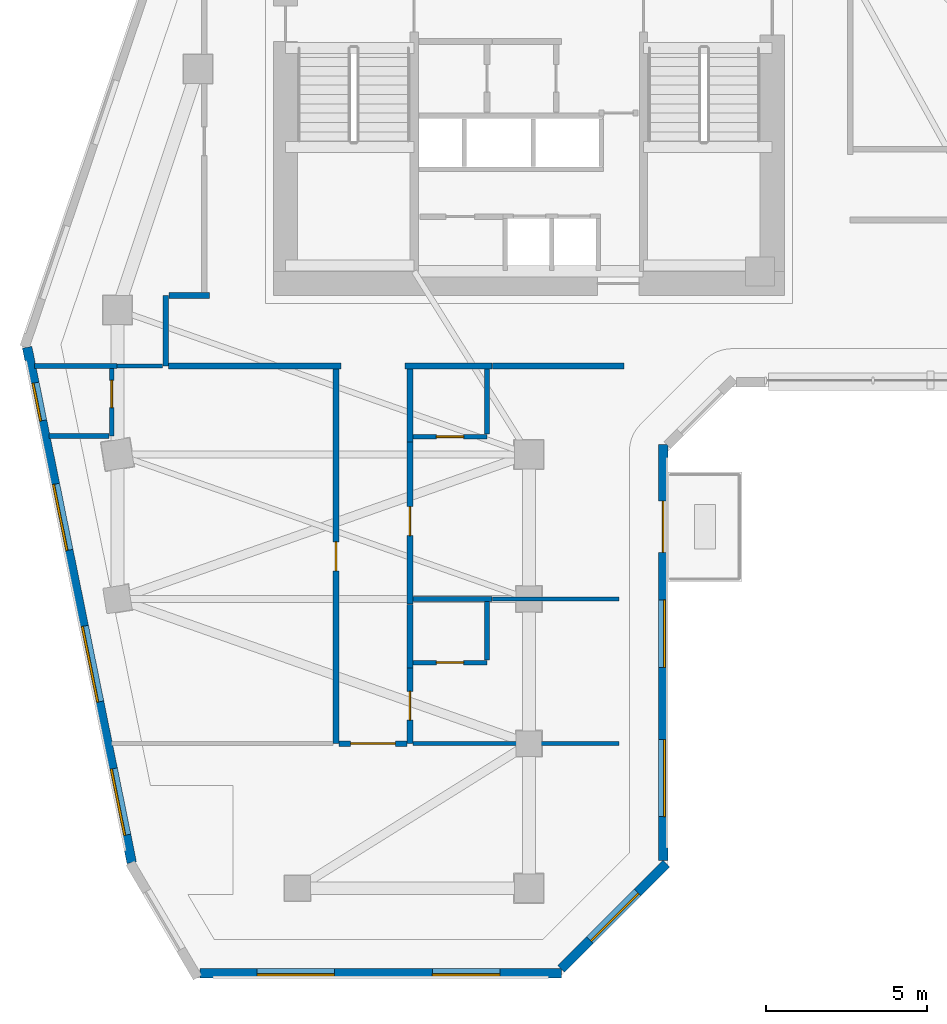
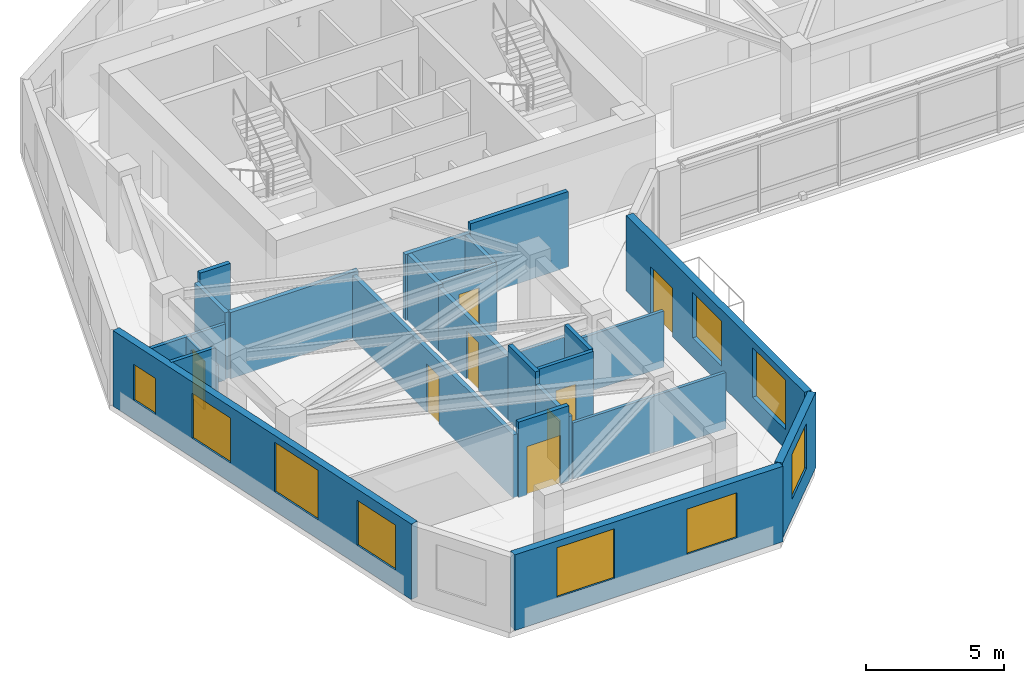
# One storey, part 4 of 10: 26 walls, 9 windows, 8 doors, 17 openings.
"""IFC4 building model written with IfcOpenShell, lengths in metres."""

from ifc_helpers import new_model, si_unit, direction, frame, frame_2d, origin, place, context, subcontext, project, spatial, rectangle, extrude, source, transform, mapped, material, layer, layer_set, type_object, element, fill, save


model = new_model("IFC4")

# Units and contexts
model_context = context("Model", 3, precision=1e-05, world=origin(), true_north=direction((0.0, 1.0)))
body_context = subcontext(model_context, "Body", "Model", "MODEL_VIEW")
ifc_project = project(units=[si_unit("LENGTHUNIT", "METRE"), si_unit("AREAUNIT", "SQUARE_METRE"), si_unit("VOLUMEUNIT", "CUBIC_METRE"), si_unit("PLANEANGLEUNIT", "RADIAN"), si_unit("MASSUNIT", "GRAM", prefix="KILO")], contexts=[model_context])

# Site, building, storey
site_placement = place(None, origin())
site = spatial("IfcSite", under=ifc_project, at=site_placement, CompositionType="ELEMENT")
building_placement = place(site_placement, origin())
building = spatial("IfcBuilding", under=site, at=building_placement, Name="Calvemar Wedge Station Tower", CompositionType="ELEMENT")
storey_placement = place(building_placement, frame((0.0, 0.0, 146.60009765625)))
storey = spatial("IfcBuildingStorey", under=building, at=storey_placement, Name="L36", CompositionType="ELEMENT", Elevation=146.60009765625)

# Walls
ifc_material_1 = material(Name="Double-stud fire-rated corridor partition")
ifc_layer_1 = layer(ifc_material_1, 0.179931640625)
ifc_layer_set_1 = layer_set([ifc_layer_1], Name="Double-stud fire-rated corridor partition")
wall_type_1 = type_object("IfcWallType", Name="W-CORR-180", PredefinedType="PARTITIONING", material=ifc_layer_set_1)
wall_1_placement = place(storey_placement, frame((12.5, 31.25, 0.0), z_axis=(0.0, 0.0, 1.0), x_axis=(0.0, 1.0, 0.0)))
element("IfcWall", 1, at=wall_1_placement, inside=storey, type_object=wall_type_1, Name="Storey L36 Interior Partition WL-L36-007", PredefinedType="PARTITIONING", context=body_context, shape_type="SweptSolid", body=[
    extrude(rectangle(XDim=2.199951171875, YDim=0.179931640625, at=frame_2d((1.10009765625, 0.0))), origin(), (0.0, 0.0, 1.0), 2.934814453125),
])
wall_2_placement = place(storey_placement, frame((12.593994140625, 33.449951171875, 0.0), z_axis=(0.0, 0.0, 1.0), x_axis=(1.0, 0.0, 0.0)))
element("IfcWall", 2, at=wall_2_placement, inside=storey, type_object=wall_type_1, Name="Storey L36 Interior Partition WL-L36-008", PredefinedType="PARTITIONING", context=body_context, shape_type="SweptSolid", body=[
    extrude(rectangle(XDim=1.26611328125, YDim=0.179931640625, at=frame_2d((0.633056640625, 0.0))), origin(), (0.0, 0.0, 1.0), 3.349853515625),
])
wall_3_placement = place(storey_placement, frame((17.9599609375, 31.25, 0.0), z_axis=(0.0, 0.0, 1.0), x_axis=(-1.0, 0.0, 0.0)))
element("IfcWall", 3, at=wall_3_placement, inside=storey, type_object=wall_type_1, Name="Storey L36 Interior Partition WL-L36-009", PredefinedType="PARTITIONING", context=body_context, shape_type="SweptSolid", body=[
    extrude(rectangle(XDim=5.365966796875, YDim=0.179931640625, at=frame_2d((2.68310546875, 0.0))), origin(), (0.0, 0.0, 1.0), 2.934814453125),
])
wall_4_placement = place(storey_placement, frame((22.659912109375, 31.25, 0.0), z_axis=(0.0, 0.0, 1.0), x_axis=(-1.0, 0.0, 0.0)))
element("IfcWall", 4, at=wall_4_placement, inside=storey, type_object=wall_type_1, Name="Storey L36 Interior Partition WL-L36-010", PredefinedType="PARTITIONING", context=body_context, shape_type="SweptSolid", body=[
    extrude(rectangle(XDim=2.719970703125, YDim=0.179931640625, at=frame_2d((1.35986328125, 0.0))), origin(), (0.0, 0.0, 1.0), 2.934814453125),
])
wall_5_placement = place(storey_placement, frame((26.760009765625, 31.25, 0.0), z_axis=(0.0, 0.0, 1.0), x_axis=(-1.0, 0.0, 0.0)))
element("IfcWall", 5, at=wall_5_placement, inside=storey, type_object=wall_type_1, Name="Storey L36 Interior Partition WL-L36-011", PredefinedType="PARTITIONING", context=body_context, shape_type="SweptSolid", body=[
    extrude(rectangle(XDim=4.097900390625, YDim=0.179931640625, at=frame_2d((2.048828125, 0.0))), origin(), (0.0, 0.0, 1.0), 3.349853515625),
])

# Wall, opening, door
wall_6_placement = place(storey_placement, frame((17.800048828125, 19.5, 0.0), z_axis=(0.0, 0.0, 1.0), x_axis=(0.0, 1.0, 0.0)))
wall_6 = element("IfcWall", 6, at=wall_6_placement, inside=storey, type_object=wall_type_1, Name="Storey L36 Interior Partition WL-L36-035", PredefinedType="PARTITIONING", context=body_context, shape_type="SweptSolid", body=[
    extrude(rectangle(XDim=11.656005859375, YDim=0.179931640625, at=frame_2d((5.828125, 0.0))), origin(), (0.0, 0.0, 1.0), 2.787841796875),
])
shared_shape_1 = source(origin(), body_context, "Body", "SweptSolid", [
    extrude(rectangle(XDim=0.89990234375, YDim=2.14990234375, at=frame_2d((0.449951171875, 1.074951171875))), frame((0.0, 0.10009765625, 0.0), z_axis=(0.0, -1.0, 0.0), x_axis=(1.0, 0.0, 0.0)), (0.0, 0.0, 1.0), 0.199951171875),
])
opening_1_placement = place(wall_6_placement, frame((5.3779296875, 0.0, 0.0)))
opening_1 = element("IfcOpeningElement", 7, at=opening_1_placement, cuts=wall_6, Name="Opening FD-60", PredefinedType="OPENING", context=body_context, shape_type="MappedRepresentation", body=[
    mapped(shared_shape_1, transform((0.0, 0.0, 0.0), scale=1.0)),
])
ifc_material_2 = material(Name="Fire-rated acoustic timber-core entrance door EI 60", Category="wood")
door_type_1 = type_object("IfcDoorType", Name="DR-FD60-900", OperationType="NOTDEFINED", PredefinedType="DOOR", material=ifc_material_2)
shared_shape_2 = source(origin(), body_context, "Body", "SweptSolid", [
    extrude(rectangle(XDim=0.89990234375, YDim=2.14990234375, at=frame_2d((0.449951171875, 1.074951171875))), frame((0.0, 0.02490234375, 0.0), z_axis=(0.0, -1.0, 0.0), x_axis=(1.0, 0.0, 0.0)), (0.0, 0.0, 1.0), 0.050048828125),
])
door_1_placement = place(opening_1_placement, origin())
door_1 = element("IfcDoor", 8, at=door_1_placement, inside=storey, type_object=door_type_1, Name="L36 Hotel Suite Door", OperationType="SINGLE_SWING_LEFT", OverallHeight=2.14990234375, OverallWidth=0.89990234375, PredefinedType="DOOR", context=body_context, shape_type="MappedRepresentation", body=[
    mapped(shared_shape_2, transform((0.0, 0.0, 0.0), scale=1.0)),
])
fill(opening_1, door_1)

# Wall
wall_7_placement = place(storey_placement, frame((20.10009765625, 31.156005859375, 0.0), z_axis=(0.0, 0.0, 1.0), x_axis=(0.0, -1.0, 0.0)))
element("IfcWall", 9, at=wall_7_placement, inside=storey, type_object=wall_type_1, Name="Storey L36 Interior Partition WL-L36-036", PredefinedType="PARTITIONING", context=body_context, shape_type="SweptSolid", body=[
    extrude(rectangle(XDim=2.26611328125, YDim=0.179931640625, at=frame_2d((1.133056640625, 0.0))), origin(), (0.0, 0.0, 1.0), 2.934814453125),
])

# Wall, opening, door
wall_8_placement = place(storey_placement, frame((20.10009765625, 28.887939453125, 0.0), z_axis=(0.0, 0.0, 1.0), x_axis=(0.0, -1.0, 0.0)))
wall_8 = element("IfcWall", 10, at=wall_8_placement, inside=storey, type_object=wall_type_1, Name="Storey L36 Interior Partition WL-L36-037", PredefinedType="PARTITIONING", context=body_context, shape_type="SweptSolid", body=[
    extrude(rectangle(XDim=5.0478515625, YDim=0.179931640625, at=frame_2d((2.52392578125, 0.0))), origin(), (0.0, 0.0, 1.0), 2.787841796875),
])
opening_2_placement = place(wall_8_placement, frame((2.01220703125, 0.0, 0.0)))
opening_2 = element("IfcOpeningElement", 11, at=opening_2_placement, cuts=wall_8, Name="Opening FD-60", PredefinedType="OPENING", context=body_context, shape_type="MappedRepresentation", body=[
    mapped(shared_shape_1, transform((0.0, 0.0, 0.0), scale=1.0)),
])
door_2_placement = place(opening_2_placement, origin())
door_2 = element("IfcDoor", 12, at=door_2_placement, inside=storey, type_object=door_type_1, Name="L36 Hotel Guest Room Door", OperationType="SINGLE_SWING_LEFT", OverallHeight=2.14990234375, OverallWidth=0.89990234375, PredefinedType="DOOR", context=body_context, shape_type="MappedRepresentation", body=[
    mapped(shared_shape_2, transform((0.0, 0.0, 0.0), scale=1.0)),
])
fill(opening_2, door_2)

# Wall
wall_9_placement = place(storey_placement, frame((20.10009765625, 23.837890625, 0.0), z_axis=(0.0, 0.0, 1.0), x_axis=(0.0, -1.0, 0.0)))
element("IfcWall", 13, at=wall_9_placement, inside=storey, type_object=wall_type_1, Name="Storey L36 Interior Partition WL-L36-038", PredefinedType="PARTITIONING", context=body_context, shape_type="SweptSolid", body=[
    extrude(rectangle(XDim=1.977783203125, YDim=0.179931640625, at=frame_2d((0.98876953125, 0.0))), origin(), (0.0, 0.0, 1.0), 3.349853515625),
])

# Wall, opening, door
wall_10_placement = place(storey_placement, frame((20.10009765625, 21.85791015625, 0.0), z_axis=(0.0, 0.0, 1.0), x_axis=(0.0, -1.0, 0.0)))
wall_10 = element("IfcWall", 14, at=wall_10_placement, inside=storey, type_object=wall_type_1, Name="Storey L36 Interior Partition WL-L36-039", PredefinedType="PARTITIONING", context=body_context, shape_type="SweptSolid", body=[
    extrude(rectangle(XDim=2.35791015625, YDim=0.179931640625, at=frame_2d((1.178955078125, 0.0))), origin(), (0.0, 0.0, 1.0), 2.787841796875),
])
opening_3_placement = place(wall_10_placement, frame((0.72900390625, 0.0, 0.0)))
opening_3 = element("IfcOpeningElement", 15, at=opening_3_placement, cuts=wall_10, Name="Opening FD-60", PredefinedType="OPENING", context=body_context, shape_type="MappedRepresentation", body=[
    mapped(shared_shape_1, transform((0.0, 0.0, 0.0), scale=1.0)),
])
door_3_placement = place(opening_3_placement, origin())
door_3 = element("IfcDoor", 16, at=door_3_placement, inside=storey, type_object=door_type_1, Name="L36 Hotel Guest Room Door", OperationType="SINGLE_SWING_LEFT", OverallHeight=2.14990234375, OverallWidth=0.89990234375, PredefinedType="DOOR", context=body_context, shape_type="MappedRepresentation", body=[
    mapped(shared_shape_2, transform((0.0, 0.0, 0.0), scale=1.0)),
])
fill(opening_3, door_3)

wall_11_placement = place(storey_placement, frame((20.006103515625, 19.5, 0.0), z_axis=(0.0, 0.0, 1.0), x_axis=(-1.0, 0.0, 0.0)))
wall_11 = element("IfcWall", 17, at=wall_11_placement, inside=storey, type_object=wall_type_1, Name="Storey L36 Interior Partition WL-L36-040", PredefinedType="PARTITIONING", context=body_context, shape_type="SweptSolid", body=[
    extrude(rectangle(XDim=2.112060546875, YDim=0.179931640625, at=frame_2d((1.05615234375, 0.0))), origin(), (0.0, 0.0, 1.0), 3.349853515625),
])
shared_shape_3 = source(origin(), body_context, "Body", "SweptSolid", [
    extrude(rectangle(XDim=1.39990234375, YDim=2.14990234375, at=frame_2d((0.699951171875, 1.074951171875))), frame((0.0, 0.10009765625, 0.0), z_axis=(0.0, -1.0, 0.0), x_axis=(1.0, 0.0, 0.0)), (0.0, 0.0, 1.0), 0.199951171875),
])
opening_4_placement = place(wall_11_placement, frame((0.35595703125, 0.0, 0.0)))
opening_4 = element("IfcOpeningElement", 18, at=opening_4_placement, cuts=wall_11, Name="Opening DD-140", PredefinedType="OPENING", context=body_context, shape_type="MappedRepresentation", body=[
    mapped(shared_shape_3, transform((0.0, 0.0, 0.0), scale=1.0)),
])
ifc_material_3 = material(Name="Double-leaf corridor acoustic fire door EI 60")
door_type_2 = type_object("IfcDoorType", Name="DR-DBL-1400", OperationType="DOUBLE_DOOR_SINGLE_SWING", PredefinedType="DOOR", material=ifc_material_3)
shared_shape_4 = source(origin(), body_context, "Body", "SweptSolid", [
    extrude(rectangle(XDim=1.39990234375, YDim=2.14990234375, at=frame_2d((0.699951171875, 1.074951171875))), frame((0.0, 0.02490234375, 0.0), z_axis=(0.0, -1.0, 0.0), x_axis=(1.0, 0.0, 0.0)), (0.0, 0.0, 1.0), 0.050048828125),
])
door_4_placement = place(opening_4_placement, origin())
door_4 = element("IfcDoor", 19, at=door_4_placement, inside=storey, type_object=door_type_2, Name="L36 Hotel Terrace Dining Room Door", OperationType="SINGLE_SWING_RIGHT", OverallHeight=2.14990234375, OverallWidth=1.39990234375, PredefinedType="DOOR", context=body_context, shape_type="MappedRepresentation", body=[
    mapped(shared_shape_4, transform((0.0, 0.0, 0.0), scale=1.0)),
])
fill(opening_4, door_4)

# Wall, openings, windows
ifc_material_4 = material(Name="Precast concrete C45", Category="concrete")
ifc_layer_2 = layer(ifc_material_4, 0.300048828125)
ifc_layer_set_2 = layer_set([ifc_layer_2], Name="Precast concrete C45")
wall_type_2 = type_object("IfcWallType", Name="W-EXT-GFRC-300", PredefinedType="SOLIDWALL", material=ifc_layer_set_2)
wall_12_placement = place(storey_placement, frame((13.57373046875, 12.35009765625, 0.0), z_axis=(0.0, 0.0, 1.0), x_axis=(1.0, 0.0, 0.0)))
wall_12 = element("IfcWall", 20, at=wall_12_placement, inside=storey, type_object=wall_type_2, Name="Storey L36 Bronze GFRC Exterior Wall 2", PredefinedType="SOLIDWALL", context=body_context, shape_type="SweptSolid", body=[
    extrude(rectangle(XDim=11.2421875, YDim=0.300048828125, at=frame_2d((5.62109375, 0.0))), origin(), (0.0, 0.0, 1.0), 3.349853515625),
])
shared_shape_5 = source(origin(), body_context, "Body", "SweptSolid", [
    extrude(rectangle(XDim=2.39990234375, YDim=2.199951171875, at=frame_2d((1.199951171875, 1.10009765625))), frame((0.0, 0.16015625, 0.0), z_axis=(0.0, -1.0, 0.0), x_axis=(1.0, 0.0, 0.0)), (0.0, 0.0, 1.0), 0.320068359375),
])
opening_5_placement = place(wall_12_placement, frame((1.77099609375, 0.0, 0.85009765625)))
opening_5 = element("IfcOpeningElement", 21, at=opening_5_placement, cuts=wall_12, Name="Opening W1", PredefinedType="OPENING", context=body_context, shape_type="MappedRepresentation", body=[
    mapped(shared_shape_5, transform((0.0, 0.0, 0.0), scale=1.0)),
])
shared_shape_6 = source(origin(), body_context, "Body", "SweptSolid", [
    extrude(rectangle(XDim=2.10009765625, YDim=2.0, at=frame_2d((1.050048828125, 1.0))), frame((0.0, 0.16015625, 0.0), z_axis=(0.0, -1.0, 0.0), x_axis=(1.0, 0.0, 0.0)), (0.0, 0.0, 1.0), 0.320068359375),
])
opening_6_placement = place(wall_12_placement, frame((7.221923828125, 0.0, 0.85009765625)))
opening_6 = element("IfcOpeningElement", 22, at=opening_6_placement, cuts=wall_12, Name="Opening W4", PredefinedType="OPENING", context=body_context, shape_type="MappedRepresentation", body=[
    mapped(shared_shape_6, transform((0.0, 0.0, 0.0), scale=1.0)),
])
ifc_material_5 = material(Name="Low-E laminated insulated glass", Category="glass")
window_type_1 = type_object("IfcWindowType", Name="WIN-EXT-4", PartitioningType="SINGLE_PANEL", PredefinedType="WINDOW", material=ifc_material_5)
shared_shape_7 = source(origin(), body_context, "Body", "SweptSolid", [
    extrude(rectangle(XDim=2.10009765625, YDim=2.0, at=frame_2d((1.050048828125, 1.0))), frame((0.0, -0.014892578125, 0.0), z_axis=(0.0, -1.0, 0.0), x_axis=(1.0, 0.0, 0.0)), (0.0, 0.0, 1.0), 0.06005859375),
])
window_1_placement = place(opening_6_placement, origin())
window_1 = element("IfcWindow", 23, at=window_1_placement, inside=storey, type_object=window_type_1, Name="Storey L36 Recessed Window 2.2", OverallHeight=2.0, OverallWidth=2.10009765625, PartitioningType="SINGLE_PANEL", PredefinedType="WINDOW", context=body_context, shape_type="MappedRepresentation", body=[
    mapped(shared_shape_7, transform((0.0, 0.0, 0.0), scale=1.0)),
])
fill(opening_6, window_1)
window_type_2 = type_object("IfcWindowType", Name="WIN-EXT-1", PartitioningType="SINGLE_PANEL", PredefinedType="WINDOW", material=ifc_material_5)
shared_shape_8 = source(origin(), body_context, "Body", "SweptSolid", [
    extrude(rectangle(XDim=2.39990234375, YDim=2.199951171875, at=frame_2d((1.199951171875, 1.10009765625))), frame((0.0, -0.014892578125, 0.0), z_axis=(0.0, -1.0, 0.0), x_axis=(1.0, 0.0, 0.0)), (0.0, 0.0, 1.0), 0.06005859375),
])
window_2_placement = place(opening_5_placement, origin())
window_2 = element("IfcWindow", 24, at=window_2_placement, inside=storey, type_object=window_type_2, Name="Storey L36 Recessed Window 2.1", OverallHeight=2.199951171875, OverallWidth=2.39990234375, PartitioningType="SINGLE_PANEL", PredefinedType="WINDOW", context=body_context, shape_type="MappedRepresentation", body=[
    mapped(shared_shape_8, transform((0.0, 0.0, 0.0), scale=1.0)),
])
fill(opening_5, window_2)

# Wall, opening, window
wall_13_placement = place(storey_placement, frame((24.803955078125, 12.488037109375, 0.0), z_axis=(0.0, 0.0, 1.0), x_axis=(0.70708046583, 0.707133095564, 0.0)))
wall_13 = element("IfcWall", 25, at=wall_13_placement, inside=storey, type_object=wall_type_2, Name="Storey L36 Bronze GFRC Exterior Wall 3", PredefinedType="SOLIDWALL", context=body_context, shape_type="SweptSolid", body=[
    extrude(rectangle(XDim=4.638916015625, YDim=0.300048828125, at=frame_2d((2.3193359375, 0.0))), origin(), (0.0, 0.0, 1.0), 3.349853515625),
])
opening_7_placement = place(wall_13_placement, frame((1.26904296875, 0.0, 0.85009765625)))
opening_7 = element("IfcOpeningElement", 26, at=opening_7_placement, cuts=wall_13, Name="Opening W4", PredefinedType="OPENING", context=body_context, shape_type="MappedRepresentation", body=[
    mapped(shared_shape_6, transform((0.0, 0.0, 0.0), scale=1.0)),
])
window_3_placement = place(opening_7_placement, origin())
window_3 = element("IfcWindow", 27, at=window_3_placement, inside=storey, type_object=window_type_1, Name="Storey L36 Recessed Window 3.1", OverallHeight=2.0, OverallWidth=2.10009765625, PartitioningType="SINGLE_PANEL", PredefinedType="WINDOW", context=body_context, shape_type="MappedRepresentation", body=[
    mapped(shared_shape_7, transform((0.0, 0.0, 0.0), scale=1.0)),
])
fill(opening_7, window_3)

# Wall, openings, windows, door
wall_14_placement = place(storey_placement, frame((27.97802734375, 15.857421875, 0.0), z_axis=(0.0, 0.0, 1.0), x_axis=(0.0, 1.0, 0.0)))
wall_14 = element("IfcWall", 28, at=wall_14_placement, inside=storey, type_object=wall_type_2, Name="Storey L36 Bronze GFRC Exterior Wall 4", PredefinedType="SOLIDWALL", context=body_context, shape_type="SweptSolid", body=[
    extrude(rectangle(XDim=12.94677734375, YDim=0.300048828125, at=frame_2d((6.473388671875, 0.0))), origin(), (0.0, 0.0, 1.0), 3.349853515625),
])
shared_shape_9 = source(origin(), body_context, "Body", "SweptSolid", [
    extrude(rectangle(XDim=1.60009765625, YDim=2.14990234375, at=frame_2d((0.800048828125, 1.074951171875))), frame((0.0, 0.16015625, 0.0), z_axis=(0.0, -1.0, 0.0), x_axis=(1.0, 0.0, 0.0)), (0.0, 0.0, 1.0), 0.320068359375),
])
opening_8_placement = place(wall_14_placement, frame((9.593017578125, 0.0, 0.0)))
opening_8 = element("IfcOpeningElement", 29, at=opening_8_placement, cuts=wall_14, Name="Opening DT1", PredefinedType="OPENING", context=body_context, shape_type="MappedRepresentation", body=[
    mapped(shared_shape_9, transform((0.0, 0.0, 0.0), scale=1.0)),
])
opening_9_placement = place(wall_14_placement, frame((1.367919921875, 0.0, 0.85009765625)))
opening_9 = element("IfcOpeningElement", 30, at=opening_9_placement, cuts=wall_14, Name="Opening W1", PredefinedType="OPENING", context=body_context, shape_type="MappedRepresentation", body=[
    mapped(shared_shape_5, transform((0.0, 0.0, 0.0), scale=1.0)),
])
opening_10_placement = place(wall_14_placement, frame((6.014892578125, 0.0, 0.85009765625)))
opening_10 = element("IfcOpeningElement", 31, at=opening_10_placement, cuts=wall_14, Name="Opening W4", PredefinedType="OPENING", context=body_context, shape_type="MappedRepresentation", body=[
    mapped(shared_shape_6, transform((0.0, 0.0, 0.0), scale=1.0)),
])
window_4_placement = place(opening_10_placement, origin())
window_4 = element("IfcWindow", 32, at=window_4_placement, inside=storey, type_object=window_type_1, Name="Storey L36 Recessed Window 4.2", OverallHeight=2.0, OverallWidth=2.10009765625, PartitioningType="SINGLE_PANEL", PredefinedType="WINDOW", context=body_context, shape_type="MappedRepresentation", body=[
    mapped(shared_shape_7, transform((0.0, 0.0, 0.0), scale=1.0)),
])
fill(opening_10, window_4)
window_5_placement = place(opening_9_placement, origin())
window_5 = element("IfcWindow", 33, at=window_5_placement, inside=storey, type_object=window_type_2, Name="Storey L36 Recessed Window 4.1", OverallHeight=2.199951171875, OverallWidth=2.39990234375, PartitioningType="SINGLE_PANEL", PredefinedType="WINDOW", context=body_context, shape_type="MappedRepresentation", body=[
    mapped(shared_shape_8, transform((0.0, 0.0, 0.0), scale=1.0)),
])
fill(opening_9, window_5)
ifc_material_6 = material(Name="Anodised aluminium 6063-T6", Category="aluminium")
door_type_3 = type_object("IfcDoorType", Name="DR-TERR-1600", OperationType="DOUBLE_DOOR_SLIDING", PredefinedType="DOOR", material=ifc_material_6)
shared_shape_10 = source(origin(), body_context, "Body", "SweptSolid", [
    extrude(rectangle(XDim=1.60009765625, YDim=2.14990234375, at=frame_2d((0.800048828125, 1.074951171875))), frame((0.0, 0.02490234375, 0.0), z_axis=(0.0, -1.0, 0.0), x_axis=(1.0, 0.0, 0.0)), (0.0, 0.0, 1.0), 0.050048828125),
])
door_5_placement = place(opening_8_placement, origin())
door_5 = element("IfcDoor", 34, at=door_5_placement, inside=storey, type_object=door_type_3, Name="Storey L36 Spiral Terrace Door", OperationType="DOUBLE_DOOR_SLIDING", OverallHeight=2.14990234375, OverallWidth=1.60009765625, PredefinedType="DOOR", context=body_context, shape_type="MappedRepresentation", body=[
    mapped(shared_shape_10, transform((0.0, 0.0, 0.0), scale=1.0)),
])
fill(opening_8, door_5)

# Wall, openings, windows
wall_15_placement = place(storey_placement, frame((8.186767578125, 31.833740234375, 0.0), z_axis=(0.0, 0.0, 1.0), x_axis=(0.198869838988, -0.980025911464, 0.0)))
wall_15 = element("IfcWall", 35, at=wall_15_placement, inside=storey, type_object=wall_type_2, Name="Storey L36 Bronze GFRC Exterior Wall 13", PredefinedType="SOLIDWALL", context=body_context, shape_type="SweptSolid", body=[
    extrude(rectangle(XDim=16.36328125, YDim=0.300048828125, at=frame_2d((8.181640625, 0.0))), origin(), (0.0, 0.0, 1.0), 3.349853515625),
])
shared_shape_11 = source(origin(), body_context, "Body", "SweptSolid", [
    extrude(rectangle(XDim=1.199951171875, YDim=1.60009765625, at=frame_2d((0.60009765625, 0.800048828125))), frame((0.0, 0.16015625, 0.0), z_axis=(0.0, -1.0, 0.0), x_axis=(1.0, 0.0, 0.0)), (0.0, 0.0, 1.0), 0.320068359375),
])
opening_11_placement = place(wall_15_placement, frame((1.131103515625, 0.0, 0.85009765625)))
opening_11 = element("IfcOpeningElement", 36, at=opening_11_placement, cuts=wall_15, Name="Opening W5", PredefinedType="OPENING", context=body_context, shape_type="MappedRepresentation", body=[
    mapped(shared_shape_11, transform((0.0, 0.0, 0.0), scale=1.0)),
])
opening_12_placement = place(wall_15_placement, frame((4.344970703125, 0.0, 0.85009765625)))
opening_12 = element("IfcOpeningElement", 37, at=opening_12_placement, cuts=wall_15, Name="Opening W4", PredefinedType="OPENING", context=body_context, shape_type="MappedRepresentation", body=[
    mapped(shared_shape_6, transform((0.0, 0.0, 0.0), scale=1.0)),
])
opening_13_placement = place(wall_15_placement, frame((8.85693359375, 0.0, 0.85009765625)))
opening_13 = element("IfcOpeningElement", 38, at=opening_13_placement, cuts=wall_15, Name="Opening W1", PredefinedType="OPENING", context=body_context, shape_type="MappedRepresentation", body=[
    mapped(shared_shape_5, transform((0.0, 0.0, 0.0), scale=1.0)),
])
opening_14_placement = place(wall_15_placement, frame((13.385986328125, 0.0, 0.85009765625)))
opening_14 = element("IfcOpeningElement", 39, at=opening_14_placement, cuts=wall_15, Name="Opening W4", PredefinedType="OPENING", context=body_context, shape_type="MappedRepresentation", body=[
    mapped(shared_shape_6, transform((0.0, 0.0, 0.0), scale=1.0)),
])
window_6_placement = place(opening_12_placement, origin())
window_6 = element("IfcWindow", 40, at=window_6_placement, inside=storey, type_object=window_type_1, Name="Storey L36 Recessed Window 13.2", OverallHeight=2.0, OverallWidth=2.10009765625, PartitioningType="SINGLE_PANEL", PredefinedType="WINDOW", context=body_context, shape_type="MappedRepresentation", body=[
    mapped(shared_shape_7, transform((0.0, 0.0, 0.0), scale=1.0)),
])
fill(opening_12, window_6)
window_7_placement = place(opening_14_placement, origin())
window_7 = element("IfcWindow", 41, at=window_7_placement, inside=storey, type_object=window_type_1, Name="Storey L36 Recessed Window 13.4", OverallHeight=2.0, OverallWidth=2.10009765625, PartitioningType="SINGLE_PANEL", PredefinedType="WINDOW", context=body_context, shape_type="MappedRepresentation", body=[
    mapped(shared_shape_7, transform((0.0, 0.0, 0.0), scale=1.0)),
])
fill(opening_14, window_7)
window_8_placement = place(opening_13_placement, origin())
window_8 = element("IfcWindow", 42, at=window_8_placement, inside=storey, type_object=window_type_2, Name="Storey L36 Recessed Window 13.3", OverallHeight=2.199951171875, OverallWidth=2.39990234375, PartitioningType="SINGLE_PANEL", PredefinedType="WINDOW", context=body_context, shape_type="MappedRepresentation", body=[
    mapped(shared_shape_8, transform((0.0, 0.0, 0.0), scale=1.0)),
])
fill(opening_13, window_8)
window_type_3 = type_object("IfcWindowType", Name="WIN-EXT-5", PartitioningType="SINGLE_PANEL", PredefinedType="WINDOW", material=ifc_material_5)
shared_shape_12 = source(origin(), body_context, "Body", "SweptSolid", [
    extrude(rectangle(XDim=1.199951171875, YDim=1.60009765625, at=frame_2d((0.60009765625, 0.800048828125))), frame((0.0, -0.014892578125, 0.0), z_axis=(0.0, -1.0, 0.0), x_axis=(1.0, 0.0, 0.0)), (0.0, 0.0, 1.0), 0.06005859375),
])
window_9_placement = place(opening_11_placement, origin())
window_9 = element("IfcWindow", 43, at=window_9_placement, inside=storey, type_object=window_type_3, Name="Storey L36 Recessed Window 13.1", OverallHeight=1.60009765625, OverallWidth=1.199951171875, PartitioningType="SINGLE_PANEL", PredefinedType="WINDOW", context=body_context, shape_type="MappedRepresentation", body=[
    mapped(shared_shape_12, transform((0.0, 0.0, 0.0), scale=1.0)),
])
fill(opening_11, window_9)

# Walls
ifc_material_7 = material(Name="Insulated acoustic gypsum stud partition")
ifc_layer_3 = layer(ifc_material_7, 0.125)
ifc_layer_set_3 = layer_set([ifc_layer_3], Name="Insulated acoustic gypsum stud partition")
wall_type_3 = type_object("IfcWallType", Name="W-PART-125", PredefinedType="PARTITIONING", material=ifc_layer_set_3)
wall_16_placement = place(storey_placement, frame((12.406005859375, 31.25, 0.0), z_axis=(0.0, 0.0, 1.0), x_axis=(-1.0, 0.0, 0.0)))
element("IfcWall", 44, at=wall_16_placement, inside=storey, type_object=wall_type_3, Name="Storey L36 Interior Partition WL-L36-019", PredefinedType="PARTITIONING", context=body_context, shape_type="SweptSolid", body=[
    extrude(rectangle(XDim=1.425537109375, YDim=0.125, at=frame_2d((0.712890625, 0.0))), origin(), (0.0, 0.0, 1.0), 2.491943359375),
])
wall_17_placement = place(storey_placement, frame((26.60009765625, 24.0, 0.0), z_axis=(0.0, 0.0, 1.0), x_axis=(-1.0, 0.0, 0.0)))
element("IfcWall", 45, at=wall_17_placement, inside=storey, type_object=wall_type_3, Name="Storey L36 Interior Partition WL-L36-047", PredefinedType="PARTITIONING", context=body_context, shape_type="SweptSolid", body=[
    extrude(rectangle(XDim=3.93798828125, YDim=0.125, at=frame_2d((1.968994140625, 0.0))), origin(), (0.0, 0.0, 1.0), 2.491943359375),
])
wall_18_placement = place(storey_placement, frame((26.60009765625, 19.5, 0.0), z_axis=(0.0, 0.0, 1.0), x_axis=(-1.0, 0.0, 0.0)))
element("IfcWall", 46, at=wall_18_placement, inside=storey, type_object=wall_type_3, Name="Storey L36 Interior Partition WL-L36-050", PredefinedType="PARTITIONING", context=body_context, shape_type="SweptSolid", body=[
    extrude(rectangle(XDim=6.406005859375, YDim=0.125, at=frame_2d((3.203125, 0.0))), origin(), (0.0, 0.0, 1.0), 2.491943359375),
])
ifc_material_8 = material(Name="Moisture-resistant acoustic bathroom partition")
ifc_layer_4 = layer(ifc_material_8, 0.14990234375)
ifc_layer_set_4 = layer_set([ifc_layer_4], Name="Moisture-resistant acoustic bathroom partition")
wall_type_4 = type_object("IfcWallType", Name="W-WET-150", PredefinedType="PARTITIONING", material=ifc_layer_set_4)
wall_19_placement = place(storey_placement, frame((10.978515625, 31.25, 0.0), z_axis=(0.0, 0.0, 1.0), x_axis=(-1.0, 0.0, 0.0)))
element("IfcWall", 47, at=wall_19_placement, inside=storey, type_object=wall_type_4, Name="Storey L36 Interior Partition WL-L36-018", PredefinedType="PARTITIONING", context=body_context, shape_type="SweptSolid", body=[
    extrude(rectangle(XDim=2.555908203125, YDim=0.14990234375, at=frame_2d((1.27783203125, 0.0))), origin(), (0.0, 0.0, 1.0), 2.491943359375),
])

# Wall, opening, door
wall_20_placement = place(storey_placement, frame((10.818603515625, 31.1708984375, 0.0), z_axis=(0.0, 0.0, 1.0), x_axis=(0.0, -1.0, 0.0)))
wall_20 = element("IfcWall", 48, at=wall_20_placement, inside=storey, type_object=wall_type_4, Name="Storey L36 Interior Partition WL-L36-041", PredefinedType="PARTITIONING", context=body_context, shape_type="SweptSolid", body=[
    extrude(rectangle(XDim=2.100830078125, YDim=0.14990234375, at=frame_2d((1.05029296875, 0.0))), origin(), (0.0, 0.0, 1.0), 2.491943359375),
])
shared_shape_13 = source(origin(), body_context, "Body", "SweptSolid", [
    extrude(rectangle(XDim=0.85009765625, YDim=2.14990234375, at=frame_2d((0.425048828125, 1.074951171875))), frame((0.0, 0.0849609375, 0.0), z_axis=(0.0, -1.0, 0.0), x_axis=(1.0, 0.0, 0.0)), (0.0, 0.0, 1.0), 0.169921875),
])
opening_15_placement = place(wall_20_placement, frame((0.366455078125, 0.0, 0.0)))
opening_15 = element("IfcOpeningElement", 49, at=opening_15_placement, cuts=wall_20, Name="Opening D-02", PredefinedType="OPENING", context=body_context, shape_type="MappedRepresentation", body=[
    mapped(shared_shape_13, transform((0.0, 0.0, 0.0), scale=1.0)),
])
ifc_material_9 = material(Name="Moisture-sealed bathroom hardwood swing door", Category="wood")
door_type_4 = type_object("IfcDoorType", Name="DR-WET-850", OperationType="NOTDEFINED", PredefinedType="DOOR", material=ifc_material_9)
shared_shape_14 = source(origin(), body_context, "Body", "SweptSolid", [
    extrude(rectangle(XDim=0.85009765625, YDim=2.14990234375, at=frame_2d((0.425048828125, 1.074951171875))), frame((0.0, 0.02490234375, 0.0), z_axis=(0.0, -1.0, 0.0), x_axis=(1.0, 0.0, 0.0)), (0.0, 0.0, 1.0), 0.050048828125),
])
door_6_placement = place(opening_15_placement, origin())
door_6 = element("IfcDoor", 50, at=door_6_placement, inside=storey, type_object=door_type_4, Name="L36 En-Suite Bathroom Door", OperationType="SINGLE_SWING_RIGHT", OverallHeight=2.14990234375, OverallWidth=0.85009765625, PredefinedType="DOOR", context=body_context, shape_type="MappedRepresentation", body=[
    mapped(shared_shape_14, transform((0.0, 0.0, 0.0), scale=1.0)),
])
fill(opening_15, door_6)

# Wall
wall_21_placement = place(storey_placement, frame((10.739501953125, 29.070068359375, 0.0), z_axis=(0.0, 0.0, 1.0), x_axis=(-1.0, 0.0, 0.0)))
element("IfcWall", 51, at=wall_21_placement, inside=storey, type_object=wall_type_4, Name="Storey L36 Interior Partition WL-L36-042", PredefinedType="PARTITIONING", context=body_context, shape_type="SweptSolid", body=[
    extrude(rectangle(XDim=1.87451171875, YDim=0.14990234375, at=frame_2d((0.937255859375, 0.0))), origin(), (0.0, 0.0, 1.0), 3.349853515625),
])

# Wall, opening, door
wall_22_placement = place(storey_placement, frame((22.5, 29.050048828125, 0.0), z_axis=(0.0, 0.0, 1.0), x_axis=(-1.0, 0.0, 0.0)))
wall_22 = element("IfcWall", 52, at=wall_22_placement, inside=storey, type_object=wall_type_4, Name="Storey L36 Interior Partition WL-L36-044", PredefinedType="PARTITIONING", context=body_context, shape_type="SweptSolid", body=[
    extrude(rectangle(XDim=2.305908203125, YDim=0.14990234375, at=frame_2d((1.15283203125, 0.0))), origin(), (0.0, 0.0, 1.0), 2.934814453125),
])
opening_16_placement = place(wall_22_placement, frame((0.72802734375, 0.0, 0.0)))
opening_16 = element("IfcOpeningElement", 53, at=opening_16_placement, cuts=wall_22, Name="Opening D-02", PredefinedType="OPENING", context=body_context, shape_type="MappedRepresentation", body=[
    mapped(shared_shape_13, transform((0.0, 0.0, 0.0), scale=1.0)),
])
door_7_placement = place(opening_16_placement, origin())
door_7 = element("IfcDoor", 54, at=door_7_placement, inside=storey, type_object=door_type_4, Name="L36 En-Suite Bathroom Door", OperationType="SINGLE_SWING_RIGHT", OverallHeight=2.14990234375, OverallWidth=0.85009765625, PredefinedType="DOOR", context=body_context, shape_type="MappedRepresentation", body=[
    mapped(shared_shape_14, transform((0.0, 0.0, 0.0), scale=1.0)),
])
fill(opening_16, door_7)

# Walls
wall_23_placement = place(storey_placement, frame((22.5, 31.156005859375, 0.0), z_axis=(0.0, 0.0, 1.0), x_axis=(0.0, -1.0, 0.0)))
element("IfcWall", 55, at=wall_23_placement, inside=storey, type_object=wall_type_4, Name="Storey L36 Interior Partition WL-L36-045", PredefinedType="PARTITIONING", context=body_context, shape_type="SweptSolid", body=[
    extrude(rectangle(XDim=2.027099609375, YDim=0.14990234375, at=frame_2d((1.013671875, 0.0))), origin(), (0.0, 0.0, 1.0), 2.934814453125),
])
wall_24_placement = place(storey_placement, frame((22.659912109375, 24.0, 0.0), z_axis=(0.0, 0.0, 1.0), x_axis=(-1.0, 0.0, 0.0)))
element("IfcWall", 56, at=wall_24_placement, inside=storey, type_object=wall_type_4, Name="Storey L36 Interior Partition WL-L36-046", PredefinedType="PARTITIONING", context=body_context, shape_type="SweptSolid", body=[
    extrude(rectangle(XDim=2.4658203125, YDim=0.14990234375, at=frame_2d((1.23291015625, 0.0))), origin(), (0.0, 0.0, 1.0), 2.802978515625),
])

# Wall, opening, door
wall_25_placement = place(storey_placement, frame((22.5, 22.02001953125, 0.0), z_axis=(0.0, 0.0, 1.0), x_axis=(-1.0, 0.0, 0.0)))
wall_25 = element("IfcWall", 57, at=wall_25_placement, inside=storey, type_object=wall_type_4, Name="Storey L36 Interior Partition WL-L36-048", PredefinedType="PARTITIONING", context=body_context, shape_type="SweptSolid", body=[
    extrude(rectangle(XDim=2.305908203125, YDim=0.14990234375, at=frame_2d((1.15283203125, 0.0))), origin(), (0.0, 0.0, 1.0), 3.349853515625),
])
opening_17_placement = place(wall_25_placement, frame((0.72802734375, 0.0, 0.0)))
opening_17 = element("IfcOpeningElement", 58, at=opening_17_placement, cuts=wall_25, Name="Opening D-02", PredefinedType="OPENING", context=body_context, shape_type="MappedRepresentation", body=[
    mapped(shared_shape_13, transform((0.0, 0.0, 0.0), scale=1.0)),
])
door_8_placement = place(opening_17_placement, origin())
door_8 = element("IfcDoor", 59, at=door_8_placement, inside=storey, type_object=door_type_4, Name="L36 En-Suite Bathroom Door", OperationType="SINGLE_SWING_RIGHT", OverallHeight=2.14990234375, OverallWidth=0.85009765625, PredefinedType="DOOR", context=body_context, shape_type="MappedRepresentation", body=[
    mapped(shared_shape_14, transform((0.0, 0.0, 0.0), scale=1.0)),
])
fill(opening_17, door_8)

# Wall
wall_26_placement = place(storey_placement, frame((22.5, 23.9208984375, 0.0), z_axis=(0.0, 0.0, 1.0), x_axis=(0.0, -1.0, 0.0)))
element("IfcWall", 60, at=wall_26_placement, inside=storey, type_object=wall_type_4, Name="Storey L36 Interior Partition WL-L36-049", PredefinedType="PARTITIONING", context=body_context, shape_type="SweptSolid", body=[
    extrude(rectangle(XDim=1.82177734375, YDim=0.14990234375, at=frame_2d((0.910888671875, 0.0))), origin(), (0.0, 0.0, 1.0), 3.349853515625),
])

save(model, "model.ifc")
